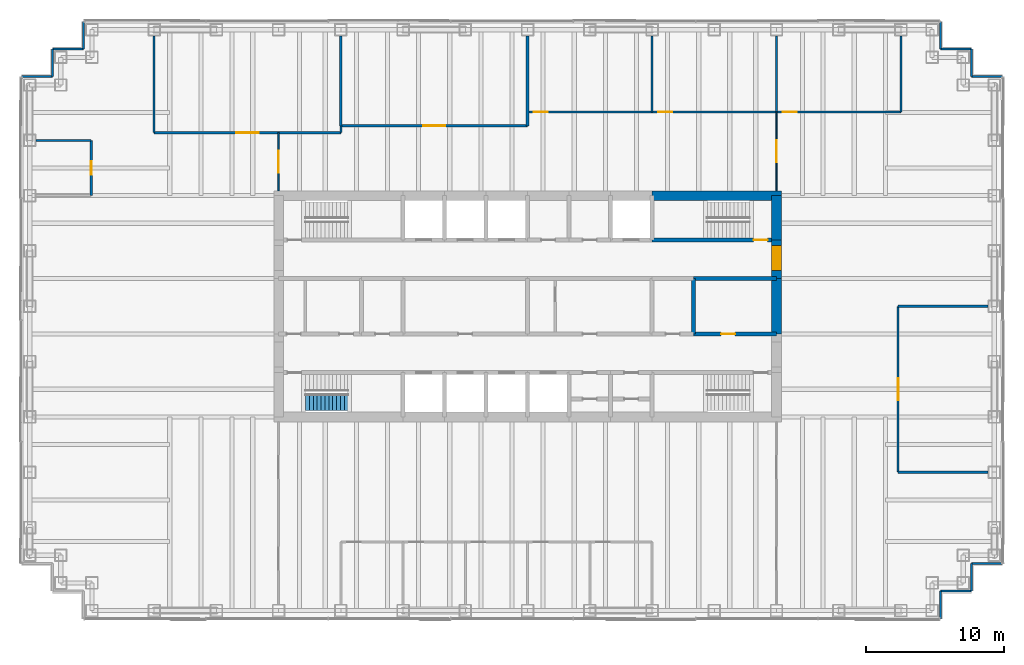
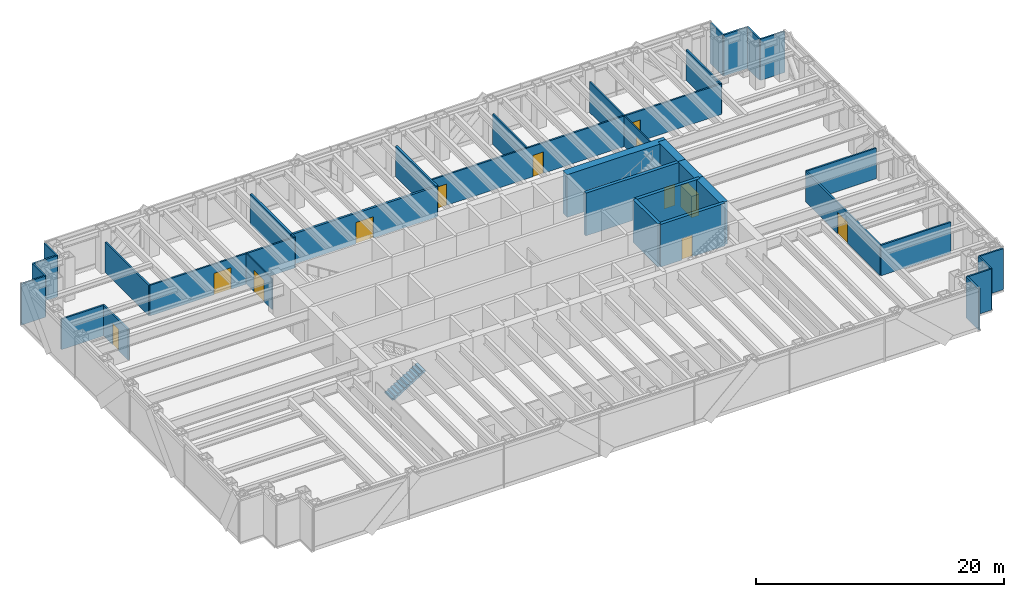
# One storey, part 13 of 15: 37 walls, 12 doors, 1 stair flight, 12 openings, 1 element without a shape of its own.
"""IFC4 building model written with IfcOpenShell, lengths in metres."""

from ifc_helpers import new_model, si_unit, direction, frame, frame_2d, origin, place, context, subcontext, project, spatial, polyline, rectangle, outline, extrude, material, layer, layer_set, type_object, element, fill, aggregate, save


model = new_model("IFC4")

# Units and contexts
model_context = context("Model", 3, precision=1e-05, world=origin(), true_north=direction((0.0, 1.0)))
body_context = subcontext(model_context, "Body", "Model", "MODEL_VIEW")
ifc_project = project(units=[si_unit("LENGTHUNIT", "METRE"), si_unit("AREAUNIT", "SQUARE_METRE"), si_unit("VOLUMEUNIT", "CUBIC_METRE"), si_unit("PLANEANGLEUNIT", "RADIAN"), si_unit("MASSUNIT", "GRAM", prefix="KILO")], contexts=[model_context])

# Site, building, storey
site_placement = place(None, origin())
site = spatial("IfcSite", under=ifc_project, at=site_placement, CompositionType="ELEMENT")
building_placement = place(site_placement, origin())
building = spatial("IfcBuilding", under=site, at=building_placement, Name="Rheinbord Bourse Tower", CompositionType="ELEMENT")
storey_placement = place(building_placement, frame((0.0, 0.0, 308.89990234375)))
storey = spatial("IfcBuildingStorey", under=building, at=storey_placement, Name="L70", CompositionType="ELEMENT", Elevation=308.89990234375)

# Wall, opening, door
ifc_material_1 = material(Name="Acoustic gypsum board partition", Category="gypsum board")
ifc_layer_1 = layer(ifc_material_1, 0.199951171875)
ifc_layer_set_1 = layer_set([ifc_layer_1], Name="ACOUSTIC PARTITION 200")
wall_type_1 = type_object("IfcWallType", Name="ACOUSTIC PARTITION 200", PredefinedType="PARTITIONING", material=ifc_layer_set_1)
wall_1_placement = place(storey_placement, frame((22.5, 37.050048828125, 0.0), z_axis=(0.0, 0.0, 1.0), x_axis=(1.0, 0.0, 0.0)))
wall_1 = element("IfcWall", 1, at=wall_1_placement, inside=storey, type_object=wall_type_1, Name="Partition L70-07", PredefinedType="PARTITIONING", context=body_context, shape_type="SweptSolid", body=[
    extrude(rectangle(XDim=13.5, YDim=0.199951171875, at=frame_2d((6.75, 0.0))), origin(), (0.0, 0.0, 1.0), 3.0),
])
opening_1_placement = place(wall_1_placement, frame((5.949951171875, 0.0, 0.0)))
opening_1 = element("IfcOpeningElement", 2, at=opening_1_placement, cuts=wall_1, Name="Opening 70D09", PredefinedType="OPENING", context=body_context, shape_type="SweptSolid", body=[
    extrude(rectangle(XDim=1.60009765625, YDim=2.10009765625, at=frame_2d((0.800048828125, 1.050048828125))), frame((0.0, 0.10986328125, 0.0), z_axis=(0.0, -1.0, 0.0), x_axis=(1.0, 0.0, 0.0)), (0.0, 0.0, 1.0), 0.219970703125),
])
ifc_material_2 = material(Name="Timber door", Category="wood")
door_type_1 = type_object("IfcDoorType", Name="DOUBLE ROOM DOOR 1600", OperationType="DOUBLE_DOOR_DOUBLE_SWING", PredefinedType="DOOR", material=ifc_material_2)
door_1_placement = place(opening_1_placement, origin())
door_1 = element("IfcDoor", 3, at=door_1_placement, inside=storey, type_object=door_type_1, Name="Executive meeting room door L70", OperationType="SINGLE_SWING_LEFT", OverallHeight=2.10009765625, OverallWidth=1.60009765625, PredefinedType="DOOR", context=body_context, shape_type="SweptSolid", body=[
    extrude(rectangle(XDim=1.60009765625, YDim=2.10009765625, at=frame_2d((0.800048828125, 1.050048828125))), frame((0.0, 0.02490234375, 0.0), z_axis=(0.0, -1.0, 0.0), x_axis=(1.0, 0.0, 0.0)), (0.0, 0.0, 1.0), 0.050048828125),
])
fill(opening_1, door_1)

# Walls
for number, where, z_axis, x_axis, name in (
    (4, (22.5, 37.050048828125, 0.0), (0.0, 0.0, 1.0), (0.0, 1.0, 0.0), "Partition L70-15"),
    (5, (36.0, 37.050048828125, 0.0), (0.0, 0.0, 1.0), (0.0, 1.0, 0.0), "Partition L70-19"),
):
    element("IfcWall", number, at=place(storey_placement, frame(where, z_axis=z_axis, x_axis=x_axis)), inside=storey, type_object=wall_type_1, Name=name, PredefinedType="PARTITIONING", context=body_context, shape_type="SweptSolid", body=[
        extrude(rectangle(XDim=6.5, YDim=0.199951171875, at=frame_2d((3.25, 0.0))), origin(), (0.0, 0.0, 1.0), 3.0),
    ])

# Wall, opening, door
ifc_material_3 = material(Name="Concrete C50/60", Category="concrete")
ifc_layer_2 = layer(ifc_material_3, 0.300048828125)
ifc_layer_set_2 = layer_set([ifc_layer_2], Name="CORE INNER WALL 300")
wall_type_2 = type_object("IfcWallType", Name="CORE INNER WALL 300", PredefinedType="SOLIDWALL", material=ifc_layer_set_2)
wall_2_placement = place(storey_placement, frame((45.0, 28.800048828125, 0.0), z_axis=(0.0, 0.0, 1.0), x_axis=(1.0, 0.0, 0.0)))
wall_2 = element("IfcWall", 6, at=wall_2_placement, inside=storey, type_object=wall_type_2, Name="Core wall B8 L70", PredefinedType="SOLIDWALL", context=body_context, shape_type="SweptSolid", body=[
    extrude(rectangle(XDim=9.0, YDim=0.300048828125, at=frame_2d((4.5, 0.0))), origin(), (0.0, 0.0, 1.0), 4.2001953125),
])
opening_2_placement = place(wall_2_placement, frame((7.35009765625, 0.0, 0.0)))
opening_2 = element("IfcOpeningElement", 7, at=opening_2_placement, cuts=wall_2, Name="Opening 7040", PredefinedType="OPENING", context=body_context, shape_type="SweptSolid", body=[
    extrude(rectangle(XDim=1.0, YDim=2.10009765625, at=frame_2d((0.5, 1.050048828125))), frame((0.0, 0.159912109375, 0.0), z_axis=(0.0, -1.0, 0.0), x_axis=(1.0, 0.0, 0.0)), (0.0, 0.0, 1.0), 0.320068359375),
])
ifc_material_4 = material(Name="Steel door", Category="steel")
door_type_2 = type_object("IfcDoorType", Name="DOOR 1000 EI30", OperationType="SINGLE_SWING_LEFT", PredefinedType="DOOR", material=ifc_material_4)
door_2_placement = place(opening_2_placement, origin())
door_2 = element("IfcDoor", 8, at=door_2_placement, inside=storey, type_object=door_type_2, Name="Stair door ST4 L70", OperationType="SINGLE_SWING_RIGHT", OverallHeight=2.10009765625, OverallWidth=1.0, PredefinedType="DOOR", context=body_context, shape_type="SweptSolid", body=[
    extrude(rectangle(XDim=1.0, YDim=2.10009765625, at=frame_2d((0.5, 1.050048828125))), frame((0.0, 0.02490234375, 0.0), z_axis=(0.0, -1.0, 0.0), x_axis=(1.0, 0.0, 0.0)), (0.0, 0.0, 1.0), 0.050048828125),
])
fill(opening_2, door_2)

wall_3_placement = place(storey_placement, frame((48.0, 22.0, 0.0), z_axis=(0.0, 0.0, 1.0), x_axis=(1.0, 0.0, 0.0)))
wall_3 = element("IfcWall", 9, at=wall_3_placement, inside=storey, type_object=wall_type_2, Name="Core wall C6 L70", PredefinedType="SOLIDWALL", context=body_context, shape_type="SweptSolid", body=[
    extrude(rectangle(XDim=6.0, YDim=0.300048828125, at=frame_2d((3.0, 0.0))), origin(), (0.0, 0.0, 1.0), 4.2001953125),
])
opening_3_placement = place(wall_3_placement, frame((2.0, 0.0, 0.0)))
opening_3 = element("IfcOpeningElement", 10, at=opening_3_placement, cuts=wall_3, Name="Opening 70R6", PredefinedType="OPENING", context=body_context, shape_type="SweptSolid", body=[
    extrude(rectangle(XDim=1.0, YDim=2.10009765625, at=frame_2d((0.5, 1.050048828125))), frame((0.0, 0.159912109375, 0.0), z_axis=(0.0, -1.0, 0.0), x_axis=(1.0, 0.0, 0.0)), (0.0, 0.0, 1.0), 0.320068359375),
])
ifc_material_5 = material(Name="Timber door", Category="wood")
door_type_3 = type_object("IfcDoorType", Name="DOOR 1000 WC", OperationType="SINGLE_SWING_LEFT", PredefinedType="DOOR", material=ifc_material_5)
door_3_placement = place(opening_3_placement, origin())
door_3 = element("IfcDoor", 11, at=door_3_placement, inside=storey, type_object=door_type_3, Name="WC women door L70", OperationType="SINGLE_SWING_LEFT", OverallHeight=2.10009765625, OverallWidth=1.0, PredefinedType="DOOR", context=body_context, shape_type="SweptSolid", body=[
    extrude(rectangle(XDim=1.0, YDim=2.10009765625, at=frame_2d((0.5, 1.050048828125))), frame((0.0, 0.02490234375, 0.0), z_axis=(0.0, -1.0, 0.0), x_axis=(1.0, 0.0, 0.0)), (0.0, 0.0, 1.0), 0.050048828125),
])
fill(opening_3, door_3)

# Walls
wall_4_placement = place(storey_placement, frame((48.0, 26.0, 0.0), z_axis=(0.0, 0.0, 1.0), x_axis=(1.0, 0.0, 0.0)))
element("IfcWall", 12, at=wall_4_placement, inside=storey, type_object=wall_type_2, Name="Core wall D6 L70", PredefinedType="SOLIDWALL", context=body_context, shape_type="SweptSolid", body=[
    extrude(rectangle(XDim=6.0, YDim=0.300048828125, at=frame_2d((3.0, 0.0))), origin(), (0.0, 0.0, 1.0), 4.2001953125),
])
wall_5_placement = place(storey_placement, frame((48.0, 22.0, 0.0), z_axis=(0.0, 0.0, 1.0), x_axis=(0.0, 1.0, 0.0)))
element("IfcWall", 13, at=wall_5_placement, inside=storey, type_object=wall_type_2, Name="Core wall MX48 L70", PredefinedType="SOLIDWALL", context=body_context, shape_type="SweptSolid", body=[
    extrude(rectangle(XDim=4.0, YDim=0.300048828125, at=frame_2d((2.0, 0.0))), origin(), (0.0, 0.0, 1.0), 4.2001953125),
])
ifc_material_6 = material(Name="Concrete C50/60", Category="concrete")
ifc_layer_3 = layer(ifc_material_6, 0.699951171875)
ifc_layer_set_3 = layer_set([ifc_layer_3], Name="CORE WALL 700")
wall_type_3 = type_object("IfcWallType", Name="CORE WALL 700", PredefinedType="SHEAR", material=ifc_layer_set_3)
wall_6_placement = place(storey_placement, frame((54.35009765625, 32.0, 0.0), z_axis=(0.0, 0.0, 1.0), x_axis=(-1.0, 0.0, 0.0)))
element("IfcWall", 14, at=wall_6_placement, inside=storey, type_object=wall_type_3, Name="Core wall N1 L70", PredefinedType="SHEAR", context=body_context, shape_type="SweptSolid", body=[
    extrude(rectangle(XDim=9.35009765625, YDim=0.699951171875, at=frame_2d((4.675048828125, 0.0))), origin(), (0.0, 0.0, 1.0), 4.2001953125),
])
wall_7_placement = place(storey_placement, frame((54.0, 22.0, 0.0), z_axis=(0.0, 0.0, 1.0), x_axis=(0.0, 1.0, 0.0)))
element("IfcWall", 15, at=wall_7_placement, inside=storey, type_object=wall_type_3, Name="Core wall E3 L70", PredefinedType="SHEAR", context=body_context, shape_type="SweptSolid", body=[
    extrude(rectangle(XDim=4.0, YDim=0.699951171875, at=frame_2d((2.0, 0.0))), origin(), (0.0, 0.0, 1.0), 4.2001953125),
])

# Wall, opening, door
wall_8_placement = place(storey_placement, frame((54.0, 26.0, 0.0), z_axis=(0.0, 0.0, 1.0), x_axis=(0.0, 1.0, 0.0)))
wall_8 = element("IfcWall", 16, at=wall_8_placement, inside=storey, type_object=wall_type_3, Name="Core wall E4 L70", PredefinedType="SHEAR", context=body_context, shape_type="SweptSolid", body=[
    extrude(rectangle(XDim=2.800048828125, YDim=0.699951171875, at=frame_2d((1.39990234375, 0.0))), origin(), (0.0, 0.0, 1.0), 4.2001953125),
])
opening_4_placement = place(wall_8_placement, frame((0.60009765625, 0.0, 0.0)))
opening_4 = element("IfcOpeningElement", 17, at=opening_4_placement, cuts=wall_8, Name="Opening 70L4", PredefinedType="OPENING", context=body_context, shape_type="SweptSolid", body=[
    extrude(rectangle(XDim=1.800048828125, YDim=2.10009765625, at=frame_2d((0.89990234375, 1.050048828125))), frame((0.0, 0.35986328125, 0.0), z_axis=(0.0, -1.0, 0.0), x_axis=(1.0, 0.0, 0.0)), (0.0, 0.0, 1.0), 0.719970703125),
])
ifc_material_7 = material(Name="Steel door", Category="steel")
door_type_4 = type_object("IfcDoorType", Name="DOOR 1800 EI30 DOUBLE", OperationType="DOUBLE_DOOR_DOUBLE_SWING", PredefinedType="DOOR", material=ifc_material_7)
door_4_placement = place(opening_4_placement, origin())
door_4 = element("IfcDoor", 18, at=door_4_placement, inside=storey, type_object=door_type_4, Name="Lobby door 4 L70", OperationType="SINGLE_SWING_LEFT", OverallHeight=2.10009765625, OverallWidth=1.800048828125, PredefinedType="DOOR", context=body_context, shape_type="SweptSolid", body=[
    extrude(rectangle(XDim=1.800048828125, YDim=2.10009765625, at=frame_2d((0.89990234375, 1.050048828125))), frame((0.0, 0.349609375, 0.0), z_axis=(0.0, -1.0, 0.0), x_axis=(1.0, 0.0, 0.0)), (0.0, 0.0, 1.0), 0.699462890625),
])
fill(opening_4, door_4)

# Walls
wall_9_placement = place(storey_placement, frame((54.0, 28.800048828125, 0.0), z_axis=(0.0, 0.0, 1.0), x_axis=(0.0, 1.0, 0.0)))
element("IfcWall", 19, at=wall_9_placement, inside=storey, type_object=wall_type_3, Name="Core wall E5 L70", PredefinedType="SHEAR", context=body_context, shape_type="SweptSolid", body=[
    extrude(rectangle(XDim=3.199951171875, YDim=0.699951171875, at=frame_2d((1.60009765625, 0.0))), origin(), (0.0, 0.0, 1.0), 4.2001953125),
])
ifc_material_8 = material(Name="Black metal rainscreen panel", Category="aluminium")
ifc_layer_4 = layer(ifc_material_8, 0.14990234375)
ifc_layer_set_4 = layer_set([ifc_layer_4], Name="CORNER PIER CLADDING 150")
wall_type_4 = type_object("IfcWallType", Name="CORNER PIER CLADDING 150", PredefinedType="ELEMENTEDWALL", material=ifc_layer_set_4)
wall_10_placement = place(storey_placement, frame((65.85009765625, 1.39990234375, 0.0), z_axis=(0.0, 0.0, 1.0), x_axis=(0.0, 1.0, 0.0)))
element("IfcWall", 20, at=wall_10_placement, inside=storey, type_object=wall_type_4, Name="Corner pier cladding L70 2", PredefinedType="ELEMENTEDWALL", context=body_context, shape_type="SweptSolid", body=[
    extrude(rectangle(XDim=2.0, YDim=0.14990234375, at=frame_2d((1.0, 0.0))), origin(), (0.0, 0.0, 1.0), 4.0400390625),
])
wall_11_placement = place(storey_placement, frame((65.85009765625, 3.39990234375, 0.0), z_axis=(0.0, 0.0, 1.0), x_axis=(1.0, 0.0, 0.0)))
element("IfcWall", 21, at=wall_11_placement, inside=storey, type_object=wall_type_4, Name="Corner pier cladding L70 3", PredefinedType="ELEMENTEDWALL", context=body_context, shape_type="SweptSolid", body=[
    extrude(rectangle(XDim=2.25, YDim=0.14990234375, at=frame_2d((1.125, 0.0))), origin(), (0.0, 0.0, 1.0), 4.0400390625),
])
wall_12_placement = place(storey_placement, frame((68.10009765625, 3.39990234375, 0.0), z_axis=(0.0, 0.0, 1.0), x_axis=(0.0, 1.0, 0.0)))
element("IfcWall", 22, at=wall_12_placement, inside=storey, type_object=wall_type_4, Name="Corner pier cladding L70 4", PredefinedType="ELEMENTEDWALL", context=body_context, shape_type="SweptSolid", body=[
    extrude(rectangle(XDim=2.0, YDim=0.14990234375, at=frame_2d((1.0, 0.0))), origin(), (0.0, 0.0, 1.0), 4.0400390625),
])
for number, where, z_axis, x_axis, name in (
    (23, (68.10009765625, 5.39990234375, 0.0), (0.0, 0.0, 1.0), (1.0, 0.0, 0.0), "Corner pier cladding L70 5"),
    (24, (70.35009765625, 40.60009765625, 0.0), (0.0, 0.0, 1.0), (-1.0, 0.0, 0.0), "Corner pier cladding L70 7"),
):
    element("IfcWall", number, at=place(storey_placement, frame(where, z_axis=z_axis, x_axis=x_axis)), inside=storey, type_object=wall_type_4, Name=name, PredefinedType="ELEMENTEDWALL", context=body_context, shape_type="SweptSolid", body=[
        extrude(rectangle(XDim=2.25, YDim=0.14990234375, at=frame_2d((1.125, 0.0))), origin(), (0.0, 0.0, 1.0), 4.0400390625),
    ])
wall_13_placement = place(storey_placement, frame((68.10009765625, 40.60009765625, 0.0), z_axis=(0.0, 0.0, 1.0), x_axis=(0.0, 1.0, 0.0)))
element("IfcWall", 25, at=wall_13_placement, inside=storey, type_object=wall_type_4, Name="Corner pier cladding L70 8", PredefinedType="ELEMENTEDWALL", context=body_context, shape_type="SweptSolid", body=[
    extrude(rectangle(XDim=2.0, YDim=0.14990234375, at=frame_2d((1.0, 0.0))), origin(), (0.0, 0.0, 1.0), 4.0400390625),
])
wall_14_placement = place(storey_placement, frame((68.10009765625, 42.60009765625, 0.0), z_axis=(0.0, 0.0, 1.0), x_axis=(-1.0, 0.0, 0.0)))
element("IfcWall", 26, at=wall_14_placement, inside=storey, type_object=wall_type_4, Name="Corner pier cladding L70 9", PredefinedType="ELEMENTEDWALL", context=body_context, shape_type="SweptSolid", body=[
    extrude(rectangle(XDim=2.25, YDim=0.14990234375, at=frame_2d((1.125, 0.0))), origin(), (0.0, 0.0, 1.0), 4.0400390625),
])
for number, where, z_axis, x_axis, name in (
    (27, (65.85009765625, 42.60009765625, 0.0), (0.0, 0.0, 1.0), (0.0, 1.0, 0.0), "Corner pier cladding L70 10"),
    (28, (3.89990234375, 44.60009765625, 0.0), (0.0, 0.0, 1.0), (0.0, -1.0, 0.0), "Corner pier cladding L70 12"),
):
    element("IfcWall", number, at=place(storey_placement, frame(where, z_axis=z_axis, x_axis=x_axis)), inside=storey, type_object=wall_type_4, Name=name, PredefinedType="ELEMENTEDWALL", context=body_context, shape_type="SweptSolid", body=[
        extrude(rectangle(XDim=2.0, YDim=0.14990234375, at=frame_2d((1.0, 0.0))), origin(), (0.0, 0.0, 1.0), 4.0400390625),
    ])
wall_15_placement = place(storey_placement, frame((3.89990234375, 42.60009765625, 0.0), z_axis=(0.0, 0.0, 1.0), x_axis=(-1.0, 0.0, 0.0)))
element("IfcWall", 29, at=wall_15_placement, inside=storey, type_object=wall_type_4, Name="Corner pier cladding L70 13", PredefinedType="ELEMENTEDWALL", context=body_context, shape_type="SweptSolid", body=[
    extrude(rectangle(XDim=2.25, YDim=0.14990234375, at=frame_2d((1.125, 0.0))), origin(), (0.0, 0.0, 1.0), 4.0400390625),
])
wall_16_placement = place(storey_placement, frame((1.64990234375, 42.60009765625, 0.0), z_axis=(0.0, 0.0, 1.0), x_axis=(0.0, -1.0, 0.0)))
element("IfcWall", 30, at=wall_16_placement, inside=storey, type_object=wall_type_4, Name="Corner pier cladding L70 14", PredefinedType="ELEMENTEDWALL", context=body_context, shape_type="SweptSolid", body=[
    extrude(rectangle(XDim=2.0, YDim=0.14990234375, at=frame_2d((1.0, 0.0))), origin(), (0.0, 0.0, 1.0), 4.0400390625),
])
wall_17_placement = place(storey_placement, frame((1.64990234375, 40.60009765625, 0.0), z_axis=(0.0, 0.0, 1.0), x_axis=(-1.0, 0.0, 0.0)))
element("IfcWall", 31, at=wall_17_placement, inside=storey, type_object=wall_type_4, Name="Corner pier cladding L70 15", PredefinedType="ELEMENTEDWALL", context=body_context, shape_type="SweptSolid", body=[
    extrude(rectangle(XDim=2.25, YDim=0.14990234375, at=frame_2d((1.125, 0.0))), origin(), (0.0, 0.0, 1.0), 4.0400390625),
])

# Wall, opening, door
ifc_material_9 = material(Name="Toughened laminated glass partition", Category="glass")
ifc_layer_5 = layer(ifc_material_9, 0.10009765625)
ifc_layer_set_5 = layer_set([ifc_layer_5], Name="GLAZED PARTITION 100")
wall_type_5 = type_object("IfcWallType", Name="GLAZED PARTITION 100", PredefinedType="PARTITIONING", material=ifc_layer_set_5)
wall_18_placement = place(storey_placement, frame((18.0, 32.35009765625, 0.0), z_axis=(0.0, 0.0, 1.0), x_axis=(0.0, 1.0, 0.0)))
wall_18 = element("IfcWall", 32, at=wall_18_placement, inside=storey, type_object=wall_type_5, Name="Partition L70-12", PredefinedType="PARTITIONING", context=body_context, shape_type="SweptSolid", body=[
    extrude(rectangle(XDim=4.199951171875, YDim=0.10009765625, at=frame_2d((2.10009765625, 0.0))), origin(), (0.0, 0.0, 1.0), 3.0),
])
opening_5_placement = place(wall_18_placement, frame((1.300048828125, 0.0, 0.0)))
opening_5 = element("IfcOpeningElement", 33, at=opening_5_placement, cuts=wall_18, Name="Opening 70D15", PredefinedType="OPENING", context=body_context, shape_type="SweptSolid", body=[
    extrude(rectangle(XDim=1.60009765625, YDim=2.10009765625, at=frame_2d((0.800048828125, 1.050048828125))), frame((0.0, 0.06005859375, 0.0), z_axis=(0.0, -1.0, 0.0), x_axis=(1.0, 0.0, 0.0)), (0.0, 0.0, 1.0), 0.1201171875),
])
door_5_placement = place(opening_5_placement, origin())
door_5 = element("IfcDoor", 34, at=door_5_placement, inside=storey, type_object=door_type_1, Name="Open area door L70", OperationType="SINGLE_SWING_LEFT", OverallHeight=2.10009765625, OverallWidth=1.60009765625, PredefinedType="DOOR", context=body_context, shape_type="SweptSolid", body=[
    extrude(rectangle(XDim=1.60009765625, YDim=2.10009765625, at=frame_2d((0.800048828125, 1.050048828125))), frame((0.0, 0.02490234375, 0.0), z_axis=(0.0, -1.0, 0.0), x_axis=(1.0, 0.0, 0.0)), (0.0, 0.0, 1.0), 0.050048828125),
])
fill(opening_5, door_5)

wall_19_placement = place(storey_placement, frame((54.0, 32.35009765625, 0.0), z_axis=(0.0, 0.0, 1.0), x_axis=(0.0, 1.0, 0.0)))
wall_19 = element("IfcWall", 35, at=wall_19_placement, inside=storey, type_object=wall_type_5, Name="Partition L70-24", PredefinedType="PARTITIONING", context=body_context, shape_type="SweptSolid", body=[
    extrude(rectangle(XDim=5.699951171875, YDim=0.10009765625, at=frame_2d((2.85009765625, 0.0))), origin(), (0.0, 0.0, 1.0), 3.0),
])
opening_6_placement = place(wall_19_placement, frame((2.050048828125, 0.0, 0.0)))
opening_6 = element("IfcOpeningElement", 36, at=opening_6_placement, cuts=wall_19, Name="Opening 70D18", PredefinedType="OPENING", context=body_context, shape_type="SweptSolid", body=[
    extrude(rectangle(XDim=1.60009765625, YDim=2.10009765625, at=frame_2d((0.800048828125, 1.050048828125))), frame((0.0, 0.06005859375, 0.0), z_axis=(0.0, -1.0, 0.0), x_axis=(1.0, 0.0, 0.0)), (0.0, 0.0, 1.0), 0.1201171875),
])
door_6_placement = place(opening_6_placement, origin())
door_6 = element("IfcDoor", 37, at=door_6_placement, inside=storey, type_object=door_type_1, Name="Open area door L70", OperationType="SINGLE_SWING_LEFT", OverallHeight=2.10009765625, OverallWidth=1.60009765625, PredefinedType="DOOR", context=body_context, shape_type="SweptSolid", body=[
    extrude(rectangle(XDim=1.60009765625, YDim=2.10009765625, at=frame_2d((0.800048828125, 1.050048828125))), frame((0.0, 0.02490234375, 0.0), z_axis=(0.0, -1.0, 0.0), x_axis=(1.0, 0.0, 0.0)), (0.0, 0.0, 1.0), 0.050048828125),
])
fill(opening_6, door_6)

# Walls
ifc_material_10 = material(Name="Gypsum board partition", Category="gypsum board")
ifc_layer_6 = layer(ifc_material_10, 0.14990234375)
ifc_layer_set_6 = layer_set([ifc_layer_6], Name="PARTITION 150")
wall_type_6 = type_object("IfcWallType", Name="PARTITION 150", PredefinedType="PARTITIONING", material=ifc_layer_set_6)
for number, where, z_axis, x_axis, name in (
    (38, (62.800048828125, 12.0, 0.0), (0.0, 0.0, 1.0), (1.0, 0.0, 0.0), "Partition L70-02"),
    (39, (62.800048828125, 24.0, 0.0), (0.0, 0.0, 1.0), (1.0, 0.0, 0.0), "Partition L70-03"),
):
    element("IfcWall", number, at=place(storey_placement, frame(where, z_axis=z_axis, x_axis=x_axis)), inside=storey, type_object=wall_type_6, Name=name, PredefinedType="PARTITIONING", context=body_context, shape_type="SweptSolid", body=[
        extrude(rectangle(XDim=6.5, YDim=0.14990234375, at=frame_2d((3.25, 0.0))), origin(), (0.0, 0.0, 1.0), 3.0),
    ])
wall_20_placement = place(storey_placement, frame((0.449951171875, 36.0, 0.0), z_axis=(0.0, 0.0, 1.0), x_axis=(1.0, 0.0, 0.0)))
element("IfcWall", 40, at=wall_20_placement, inside=storey, type_object=wall_type_6, Name="Partition L70-05", PredefinedType="PARTITIONING", context=body_context, shape_type="SweptSolid", body=[
    extrude(rectangle(XDim=4.0, YDim=0.14990234375, at=frame_2d((2.0, 0.0))), origin(), (0.0, 0.0, 1.0), 3.0),
])

# Wall, opening, door
wall_21_placement = place(storey_placement, frame((9.0, 36.550048828125, 0.0), z_axis=(0.0, 0.0, 1.0), x_axis=(1.0, 0.0, 0.0)))
wall_21 = element("IfcWall", 41, at=wall_21_placement, inside=storey, type_object=wall_type_6, Name="Partition L70-06", PredefinedType="PARTITIONING", context=body_context, shape_type="SweptSolid", body=[
    extrude(rectangle(XDim=13.5, YDim=0.14990234375, at=frame_2d((6.75, 0.0))), origin(), (0.0, 0.0, 1.0), 3.0),
])
opening_7_placement = place(wall_21_placement, frame((5.949951171875, 0.0, 0.0)))
opening_7 = element("IfcOpeningElement", 42, at=opening_7_placement, cuts=wall_21, Name="Opening 70D08", PredefinedType="OPENING", context=body_context, shape_type="SweptSolid", body=[
    extrude(rectangle(XDim=1.60009765625, YDim=2.10009765625, at=frame_2d((0.800048828125, 1.050048828125))), frame((0.0, 0.0849609375, 0.0), z_axis=(0.0, -1.0, 0.0), x_axis=(1.0, 0.0, 0.0)), (0.0, 0.0, 1.0), 0.169921875),
])
door_7_placement = place(opening_7_placement, origin())
door_7 = element("IfcDoor", 43, at=door_7_placement, inside=storey, type_object=door_type_1, Name="Chief executive office door L70", OperationType="SINGLE_SWING_LEFT", OverallHeight=2.10009765625, OverallWidth=1.60009765625, PredefinedType="DOOR", context=body_context, shape_type="SweptSolid", body=[
    extrude(rectangle(XDim=1.60009765625, YDim=2.10009765625, at=frame_2d((0.800048828125, 1.050048828125))), frame((0.0, 0.02490234375, 0.0), z_axis=(0.0, -1.0, 0.0), x_axis=(1.0, 0.0, 0.0)), (0.0, 0.0, 1.0), 0.050048828125),
])
fill(opening_7, door_7)

# Wall, openings, doors
wall_22_placement = place(storey_placement, frame((36.0, 38.050048828125, 0.0), z_axis=(0.0, 0.0, 1.0), x_axis=(1.0, 0.0, 0.0)))
wall_22 = element("IfcWall", 44, at=wall_22_placement, inside=storey, type_object=wall_type_6, Name="Partition L70-08", PredefinedType="PARTITIONING", context=body_context, shape_type="SweptSolid", body=[
    extrude(rectangle(XDim=27.0, YDim=0.14990234375, at=frame_2d((13.5, 0.0))), origin(), (0.0, 0.0, 1.0), 3.0),
])
opening_8_placement = place(wall_22_placement, frame((0.449951171875, 0.0, 0.0)))
opening_8 = element("IfcOpeningElement", 45, at=opening_8_placement, cuts=wall_22, Name="Opening 70D10", PredefinedType="OPENING", context=body_context, shape_type="SweptSolid", body=[
    extrude(rectangle(XDim=1.0, YDim=2.10009765625, at=frame_2d((0.5, 1.050048828125))), frame((0.0, 0.0849609375, 0.0), z_axis=(0.0, -1.0, 0.0), x_axis=(1.0, 0.0, 0.0)), (0.0, 0.0, 1.0), 0.169921875),
])
opening_9_placement = place(wall_22_placement, frame((9.449951171875, 0.0, 0.0)))
opening_9 = element("IfcOpeningElement", 46, at=opening_9_placement, cuts=wall_22, Name="Opening 70D11", PredefinedType="OPENING", context=body_context, shape_type="SweptSolid", body=[
    extrude(rectangle(XDim=1.0, YDim=2.10009765625, at=frame_2d((0.5, 1.050048828125))), frame((0.0, 0.0849609375, 0.0), z_axis=(0.0, -1.0, 0.0), x_axis=(1.0, 0.0, 0.0)), (0.0, 0.0, 1.0), 0.169921875),
])
opening_10_placement = place(wall_22_placement, frame((18.449951171875, 0.0, 0.0)))
opening_10 = element("IfcOpeningElement", 47, at=opening_10_placement, cuts=wall_22, Name="Opening 70D12", PredefinedType="OPENING", context=body_context, shape_type="SweptSolid", body=[
    extrude(rectangle(XDim=1.0, YDim=2.10009765625, at=frame_2d((0.5, 1.050048828125))), frame((0.0, 0.0849609375, 0.0), z_axis=(0.0, -1.0, 0.0), x_axis=(1.0, 0.0, 0.0)), (0.0, 0.0, 1.0), 0.169921875),
])
ifc_material_11 = material(Name="Timber door", Category="wood")
door_type_5 = type_object("IfcDoorType", Name="ROOM DOOR 1000", OperationType="SINGLE_SWING_LEFT", PredefinedType="DOOR", material=ifc_material_11)
door_8_placement = place(opening_8_placement, origin())
door_8 = element("IfcDoor", 48, at=door_8_placement, inside=storey, type_object=door_type_5, Name="Executive office door L70", OperationType="SINGLE_SWING_LEFT", OverallHeight=2.10009765625, OverallWidth=1.0, PredefinedType="DOOR", context=body_context, shape_type="SweptSolid", body=[
    extrude(rectangle(XDim=1.0, YDim=2.10009765625, at=frame_2d((0.5, 1.050048828125))), frame((0.0, 0.02490234375, 0.0), z_axis=(0.0, -1.0, 0.0), x_axis=(1.0, 0.0, 0.0)), (0.0, 0.0, 1.0), 0.050048828125),
])
fill(opening_8, door_8)
door_9_placement = place(opening_9_placement, origin())
door_9 = element("IfcDoor", 49, at=door_9_placement, inside=storey, type_object=door_type_5, Name="Executive office door L70", OperationType="SINGLE_SWING_LEFT", OverallHeight=2.10009765625, OverallWidth=1.0, PredefinedType="DOOR", context=body_context, shape_type="SweptSolid", body=[
    extrude(rectangle(XDim=1.0, YDim=2.10009765625, at=frame_2d((0.5, 1.050048828125))), frame((0.0, 0.02490234375, 0.0), z_axis=(0.0, -1.0, 0.0), x_axis=(1.0, 0.0, 0.0)), (0.0, 0.0, 1.0), 0.050048828125),
])
fill(opening_9, door_9)
door_10_placement = place(opening_10_placement, origin())
door_10 = element("IfcDoor", 50, at=door_10_placement, inside=storey, type_object=door_type_5, Name="Executive office door L70", OperationType="SINGLE_SWING_RIGHT", OverallHeight=2.10009765625, OverallWidth=1.0, PredefinedType="DOOR", context=body_context, shape_type="SweptSolid", body=[
    extrude(rectangle(XDim=1.0, YDim=2.10009765625, at=frame_2d((0.5, 1.050048828125))), frame((0.0, 0.02490234375, 0.0), z_axis=(0.0, -1.0, 0.0), x_axis=(1.0, 0.0, 0.0)), (0.0, 0.0, 1.0), 0.050048828125),
])
fill(opening_10, door_10)

# Wall, opening, door
wall_23_placement = place(storey_placement, frame((4.449951171875, 32.0, 0.0), z_axis=(0.0, 0.0, 1.0), x_axis=(0.0, 1.0, 0.0)))
wall_23 = element("IfcWall", 51, at=wall_23_placement, inside=storey, type_object=wall_type_6, Name="Partition L70-09", PredefinedType="PARTITIONING", context=body_context, shape_type="SweptSolid", body=[
    extrude(rectangle(XDim=4.0, YDim=0.14990234375, at=frame_2d((2.0, 0.0))), origin(), (0.0, 0.0, 1.0), 3.0),
])
opening_11_placement = place(wall_23_placement, frame((1.5, 0.0, 0.0)))
opening_11 = element("IfcOpeningElement", 52, at=opening_11_placement, cuts=wall_23, Name="Opening 70D07", PredefinedType="OPENING", context=body_context, shape_type="SweptSolid", body=[
    extrude(rectangle(XDim=1.0, YDim=2.10009765625, at=frame_2d((0.5, 1.050048828125))), frame((0.0, 0.0849609375, 0.0), z_axis=(0.0, -1.0, 0.0), x_axis=(1.0, 0.0, 0.0)), (0.0, 0.0, 1.0), 0.169921875),
])
door_11_placement = place(opening_11_placement, origin())
door_11 = element("IfcDoor", 53, at=door_11_placement, inside=storey, type_object=door_type_5, Name="Store door L70", OperationType="SINGLE_SWING_LEFT", OverallHeight=2.10009765625, OverallWidth=1.0, PredefinedType="DOOR", context=body_context, shape_type="SweptSolid", body=[
    extrude(rectangle(XDim=1.0, YDim=2.10009765625, at=frame_2d((0.5, 1.050048828125))), frame((0.0, 0.02490234375, 0.0), z_axis=(0.0, -1.0, 0.0), x_axis=(1.0, 0.0, 0.0)), (0.0, 0.0, 1.0), 0.050048828125),
])
fill(opening_11, door_11)

# Walls
wall_24_placement = place(storey_placement, frame((9.0, 36.550048828125, 0.0), z_axis=(0.0, 0.0, 1.0), x_axis=(0.0, 1.0, 0.0)))
element("IfcWall", 54, at=wall_24_placement, inside=storey, type_object=wall_type_6, Name="Partition L70-10", PredefinedType="PARTITIONING", context=body_context, shape_type="SweptSolid", body=[
    extrude(rectangle(XDim=7.0, YDim=0.14990234375, at=frame_2d((3.5, 0.0))), origin(), (0.0, 0.0, 1.0), 3.0),
])
wall_25_placement = place(storey_placement, frame((22.5, 36.550048828125, 0.0), z_axis=(0.0, 0.0, 1.0), x_axis=(0.0, 1.0, 0.0)))
element("IfcWall", 55, at=wall_25_placement, inside=storey, type_object=wall_type_6, Name="Partition L70-14", PredefinedType="PARTITIONING", context=body_context, shape_type="SweptSolid", body=[
    extrude(rectangle(XDim=0.5, YDim=0.14990234375, at=frame_2d((0.25, 0.0))), origin(), (0.0, 0.0, 1.0), 3.0),
])
for number, where, z_axis, x_axis, name in (
    (56, (45.0, 38.050048828125, 0.0), (0.0, 0.0, 1.0), (0.0, 1.0, 0.0), "Partition L70-22"),
    (57, (54.0, 38.050048828125, 0.0), (0.0, 0.0, 1.0), (0.0, 1.0, 0.0), "Partition L70-25"),
):
    element("IfcWall", number, at=place(storey_placement, frame(where, z_axis=z_axis, x_axis=x_axis)), inside=storey, type_object=wall_type_6, Name=name, PredefinedType="PARTITIONING", context=body_context, shape_type="SweptSolid", body=[
        extrude(rectangle(XDim=5.5, YDim=0.14990234375, at=frame_2d((2.75, 0.0))), origin(), (0.0, 0.0, 1.0), 3.0),
    ])

# Wall, opening, door
wall_26_placement = place(storey_placement, frame((62.800048828125, 12.0, 0.0), z_axis=(0.0, 0.0, 1.0), x_axis=(0.0, 1.0, 0.0)))
wall_26 = element("IfcWall", 58, at=wall_26_placement, inside=storey, type_object=wall_type_6, Name="Partition L70-26", PredefinedType="PARTITIONING", context=body_context, shape_type="SweptSolid", body=[
    extrude(rectangle(XDim=12.0, YDim=0.14990234375, at=frame_2d((6.0, 0.0))), origin(), (0.0, 0.0, 1.0), 3.0),
])
opening_12_placement = place(wall_26_placement, frame((5.199951171875, 0.0, 0.0)))
opening_12 = element("IfcOpeningElement", 59, at=opening_12_placement, cuts=wall_26, Name="Opening 70D06", PredefinedType="OPENING", context=body_context, shape_type="SweptSolid", body=[
    extrude(rectangle(XDim=1.60009765625, YDim=2.10009765625, at=frame_2d((0.800048828125, 1.050048828125))), frame((0.0, 0.0849609375, 0.0), z_axis=(0.0, -1.0, 0.0), x_axis=(1.0, 0.0, 0.0)), (0.0, 0.0, 1.0), 0.169921875),
])
door_12_placement = place(opening_12_placement, origin())
door_12 = element("IfcDoor", 60, at=door_12_placement, inside=storey, type_object=door_type_1, Name="Deputy chief executive office door L70", OperationType="SINGLE_SWING_LEFT", OverallHeight=2.10009765625, OverallWidth=1.60009765625, PredefinedType="DOOR", context=body_context, shape_type="SweptSolid", body=[
    extrude(rectangle(XDim=1.60009765625, YDim=2.10009765625, at=frame_2d((0.800048828125, 1.050048828125))), frame((0.0, 0.02490234375, 0.0), z_axis=(0.0, -1.0, 0.0), x_axis=(1.0, 0.0, 0.0)), (0.0, 0.0, 1.0), 0.050048828125),
])
fill(opening_12, door_12)

# Wall
wall_27_placement = place(storey_placement, frame((63.0, 38.050048828125, 0.0), z_axis=(0.0, 0.0, 1.0), x_axis=(0.0, 1.0, 0.0)))
element("IfcWall", 61, at=wall_27_placement, inside=storey, type_object=wall_type_6, Name="Partition L70-27", PredefinedType="PARTITIONING", context=body_context, shape_type="SweptSolid", body=[
    extrude(rectangle(XDim=5.5, YDim=0.14990234375, at=frame_2d((2.75, 0.0))), origin(), (0.0, 0.0, 1.0), 3.0),
])

# Stair, stair flight
ifc_material_12 = material(Name="Concrete C30/37", Category="concrete")
stair_type = type_object("IfcStairType", Name="CORE STAIR HALF TURN 4200", PredefinedType="HALF_TURN_STAIR", material=ifc_material_12)
stair_placement = place(storey_placement, origin())
stair = element("IfcStair", 62, at=stair_placement, inside=storey, type_object=stair_type, Name="Stair ST1 L70, type CS6", PredefinedType="HALF_TURN_STAIR")
ifc_material_13 = material(Name="Concrete C30/37", Category="concrete")
stair_flight_type = type_object("IfcStairFlightType", Name="CORE STAIR FLIGHT 1200, 12 RISERS", PredefinedType="STRAIGHT", material=ifc_material_13)
stair_flight_placement = place(storey_placement, frame((19.949951171875, 17.050048828125, 0.0), z_axis=(0.0, 0.0, 1.0), x_axis=(1.0, 0.0, 0.0)))
stair_flight = element("IfcStairFlight", 63, at=stair_flight_placement, type_object=stair_flight_type, Name="STAIR L70 ST1 F1", NumberOfRisers=12, NumberOfTreads=11, PredefinedType="STRAIGHT", RiserHeight=0.175, TreadLength=0.28, context=body_context, shape_type="SweptSolid", body=[
    extrude(outline(polyline([(0.0, 0.0), (0.0, 0.175048828125), (0.280029296875, 0.175048828125), (0.280029296875, 0.35009765625), (0.56005859375, 0.35009765625), (0.56005859375, 0.52490234375), (0.840087890625, 0.52490234375), (0.840087890625, 0.699951171875), (1.1201171875, 0.699951171875), (1.1201171875, 0.875), (1.39990234375, 0.875), (1.39990234375, 1.050048828125), (1.679931640625, 1.050048828125), (1.679931640625, 1.22509765625), (1.9599609375, 1.22509765625), (1.9599609375, 1.39990234375), (2.239990234375, 1.39990234375), (2.239990234375, 1.574951171875), (2.52001953125, 1.574951171875), (2.52001953125, 1.75), (2.800048828125, 1.75), (2.800048828125, 1.925048828125), (3.080078125, 1.925048828125), (3.080078125, 2.10009765625), (3.080078125, 1.748291015625), (0.28271484375, 0.0), (0.0, 0.0)])), frame((0.0, 0.60009765625, 0.0), z_axis=(0.0, -1.0, 0.0), x_axis=(1.0, 0.0, 0.0)), (0.0, 0.0, 1.0), 1.199951171875),
])
aggregate(stair, [stair_flight])

save(model, "model.ifc")
